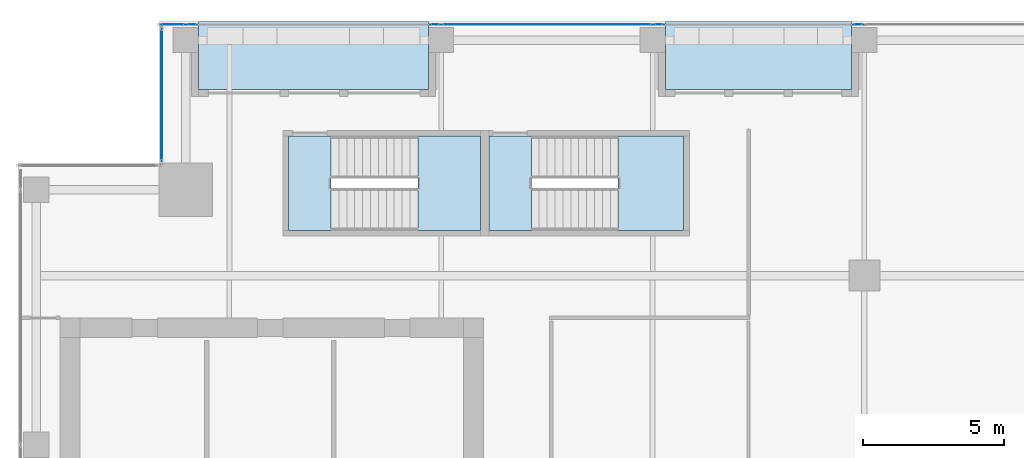
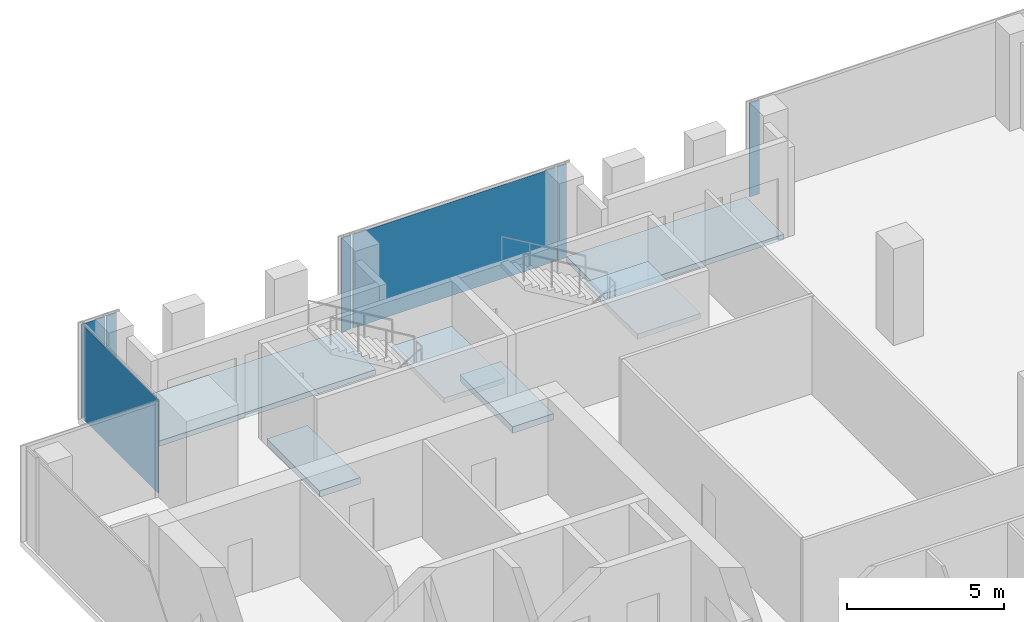
# One storey, part 29 of 36: 7 plates, 6 slabs, 6 elements without a shape of their own.
"""IFC4 building model written with IfcOpenShell, lengths in metres."""

from ifc_helpers import new_model, si_unit, direction, frame, origin, origin_2d, place, context, subcontext, project, spatial, polyline, rectangle, outline, extrude, source, transform, mapped, material, layer, layer_set, type_object, element, aggregate, save


model = new_model("IFC4")

# Units and contexts
model_context = context("Model", 3, precision=1e-05, world=origin(), true_north=direction((0.0, 1.0)))
body_context = subcontext(model_context, "Body", "Model", "MODEL_VIEW")
ifc_project = project(units=[si_unit("LENGTHUNIT", "METRE"), si_unit("AREAUNIT", "SQUARE_METRE"), si_unit("VOLUMEUNIT", "CUBIC_METRE"), si_unit("PLANEANGLEUNIT", "RADIAN"), si_unit("MASSUNIT", "GRAM", prefix="KILO")], contexts=[model_context])

# Site, building, storey
site_placement = place(None, origin())
site = spatial("IfcSite", under=ifc_project, at=site_placement, CompositionType="ELEMENT")
building_placement = place(site_placement, origin())
building = spatial("IfcBuilding", under=site, at=building_placement, Name="Khomas Fold Tower", CompositionType="ELEMENT")
storey_placement = place(building_placement, frame((0.0, 0.0, 238.199951171875)))
storey = spatial("IfcBuildingStorey", under=building, at=storey_placement, Name="L53", CompositionType="ELEMENT", Elevation=238.199951171875)

# Curtain wall, plate
ifc_material_1 = material(Name="Aluminium framed double glazing", Category="aluminium")
curtain_wall_type = type_object("IfcCurtainWallType", Name="SK-Unitised clear-glass wall, office floors CW2", PredefinedType="NOTDEFINED", material=ifc_material_1)
curtain_wall_1_placement = place(storey_placement, origin())
curtain_wall_1 = element("IfcCurtainWall", 1, at=curtain_wall_1_placement, inside=storey, type_object=curtain_wall_type, Name="CW2 run L53 06-1", PredefinedType="NOTDEFINED")
ifc_material_2 = material(Name="Clear double glazed unit")
ifc_layer_1 = layer(ifc_material_2, 0.030029296875)
ifc_layer_set_1 = layer_set([ifc_layer_1], Name="Clear double glazed unit")
plate_type = type_object("IfcPlateType", Name="SK-Unitised clear-glass wall, office floors glass panel CW2-P", PredefinedType="CURTAIN_PANEL", material=ifc_layer_set_1)
shared_shape_1 = source(origin(), body_context, "Body", "SweptSolid", [
    extrude(rectangle(XDim=7.43994140625, YDim=0.030029296875, at=origin_2d()), origin(), (0.0, 0.0, 1.0), 3.639892578125),
])
plate_1_placement = place(storey_placement, frame((23.25, 49.39990234375, 0.0), z_axis=(0.0, 0.0, 1.0), x_axis=(-1.0, 0.0, 0.0)))
plate_1 = element("IfcPlate", 2, at=plate_1_placement, type_object=plate_type, Name="CW2 glass panel 2", PredefinedType="CURTAIN_PANEL", context=body_context, shape_type="MappedRepresentation", body=[
    mapped(shared_shape_1, transform((0.0, 0.0, 0.0))),
])

curtain_wall_2_placement = place(storey_placement, origin())
curtain_wall_2 = element("IfcCurtainWall", 3, at=curtain_wall_2_placement, inside=storey, type_object=curtain_wall_type, Name="CW2 run L53 06-2", PredefinedType="NOTDEFINED")
shared_shape_2 = source(origin(), body_context, "Body", "SweptSolid", [
    extrude(rectangle(XDim=0.860107421875, YDim=0.030029296875, at=origin_2d()), origin(), (0.0, 0.0, 1.0), 3.639892578125),
])
plate_2_placement = place(storey_placement, frame((9.989990234375, 49.39990234375, 0.0), z_axis=(0.0, 0.0, 1.0), x_axis=(-1.0, 0.0, 0.0)))
plate_2 = element("IfcPlate", 4, at=plate_2_placement, type_object=plate_type, Name="CW2 glass panel 2", PredefinedType="CURTAIN_PANEL", context=body_context, shape_type="MappedRepresentation", body=[
    mapped(shared_shape_2, transform((0.0, 0.0, 0.0))),
])

curtain_wall_3_placement = place(storey_placement, origin())
curtain_wall_3 = element("IfcCurtainWall", 5, at=curtain_wall_3_placement, inside=storey, type_object=curtain_wall_type, Name="CW2 corner return L53 07", PredefinedType="NOTDEFINED")
shared_shape_3 = source(origin(), body_context, "Body", "SweptSolid", [
    extrude(rectangle(XDim=4.679931640625, YDim=0.030029296875, at=origin_2d()), origin(), (0.0, 0.0, 1.0), 3.639892578125),
])
plate_3_placement = place(storey_placement, frame((9.60009765625, 46.89990234375, 0.0), z_axis=(0.0, 0.0, 1.0), x_axis=(0.0, -1.0, 0.0)))
plate_3 = element("IfcPlate", 6, at=plate_3_placement, type_object=plate_type, Name="CW2 glass panel 1", PredefinedType="CURTAIN_PANEL", context=body_context, shape_type="MappedRepresentation", body=[
    mapped(shared_shape_3, transform((0.0, 0.0, 0.0))),
])
aggregate(curtain_wall_3, [plate_3])

curtain_wall_4_placement = place(storey_placement, origin())
curtain_wall_4 = element("IfcCurtainWall", 7, at=curtain_wall_4_placement, inside=storey, type_object=curtain_wall_type, Name="CW2 run L53 06-0", PredefinedType="NOTDEFINED")
shared_shape_4 = source(origin(), body_context, "Body", "SweptSolid", [
    extrude(rectangle(XDim=0.360107421875, YDim=0.030029296875, at=origin_2d()), origin(), (0.0, 0.0, 1.0), 3.639892578125),
])
plate_4_placement = place(storey_placement, frame((34.2900390625, 49.39990234375, 0.0), z_axis=(0.0, 0.0, 1.0), x_axis=(-1.0, 0.0, 0.0)))
plate_4 = element("IfcPlate", 8, at=plate_4_placement, type_object=plate_type, Name="CW2 glass panel 3", PredefinedType="CURTAIN_PANEL", context=body_context, shape_type="MappedRepresentation", body=[
    mapped(shared_shape_4, transform((0.0, 0.0, 0.0))),
])
aggregate(curtain_wall_4, [plate_4])

# Plate
plate_5_placement = place(storey_placement, frame((27.2099609375, 49.39990234375, 0.0), z_axis=(0.0, 0.0, 1.0), x_axis=(-1.0, 0.0, 0.0)))
plate_5 = element("IfcPlate", 9, at=plate_5_placement, type_object=plate_type, Name="CW2 glass panel 1", PredefinedType="CURTAIN_PANEL", context=body_context, shape_type="MappedRepresentation", body=[
    mapped(shared_shape_4, transform((0.0, 0.0, 0.0))),
])

plate_6_placement = place(storey_placement, frame((19.2900390625, 49.39990234375, 0.0), z_axis=(0.0, 0.0, 1.0), x_axis=(-1.0, 0.0, 0.0)))
plate_6 = element("IfcPlate", 10, at=plate_6_placement, type_object=plate_type, Name="CW2 glass panel 3", PredefinedType="CURTAIN_PANEL", context=body_context, shape_type="MappedRepresentation", body=[
    mapped(shared_shape_4, transform((0.0, 0.0, 0.0))),
])

aggregate(curtain_wall_1, [plate_5, plate_1, plate_6])

plate_7_placement = place(storey_placement, frame((10.659912109375, 49.39990234375, 0.0), z_axis=(0.0, 0.0, 1.0), x_axis=(-1.0, 0.0, 0.0)))
plate_7 = element("IfcPlate", 11, at=plate_7_placement, type_object=plate_type, Name="CW2 glass panel 1", PredefinedType="CURTAIN_PANEL", context=body_context, shape_type="MappedRepresentation", body=[
    mapped(shared_shape_4, transform((0.0, 0.0, 0.0))),
])

aggregate(curtain_wall_2, [plate_7, plate_2])

# Slabs
ifc_material_3 = material(Name="Concrete C40/50", Category="concrete")
ifc_layer_2 = layer(ifc_material_3, 0.205078125)
ifc_layer_set_2 = layer_set([ifc_layer_2], Name="Concrete C40/50")
slab_type_1 = type_object("IfcSlabType", Name="BL-Balcony deck 205", PredefinedType="FLOOR", material=ifc_layer_set_2)
shared_shape_5 = source(origin(), body_context, "Body", "SweptSolid", [
    extrude(outline(polyline([(10.89990234375, 47.10009765625), (19.050048828125, 47.10009765625), (19.050048828125, 49.5), (10.89990234375, 49.5), (10.89990234375, 47.10009765625)])), origin(), (0.0, 0.0, 1.0), 0.205078125),
])
slab_1_placement = place(storey_placement, frame((0.0, 0.0, -0.25)))
element("IfcSlab", 12, at=slab_1_placement, inside=storey, type_object=slab_type_1, Name="Balcony deck BAL-L53-N1", PredefinedType="FLOOR", context=body_context, shape_type="MappedRepresentation", body=[
    mapped(shared_shape_5, transform((0.0, 0.0, 0.0))),
])
shared_shape_6 = source(origin(), body_context, "Body", "SweptSolid", [
    extrude(outline(polyline([(27.449951171875, 47.10009765625), (34.050048828125, 47.10009765625), (34.050048828125, 49.5), (27.449951171875, 49.5), (27.449951171875, 47.10009765625)])), origin(), (0.0, 0.0, 1.0), 0.205078125),
])
slab_2_placement = place(storey_placement, frame((0.0, 0.0, -0.25)))
element("IfcSlab", 13, at=slab_2_placement, inside=storey, type_object=slab_type_1, Name="Balcony deck BAL-L53-N3", PredefinedType="FLOOR", context=body_context, shape_type="MappedRepresentation", body=[
    mapped(shared_shape_6, transform((0.0, 0.0, 0.0))),
])

# Stair, slab
ifc_material_4 = material(Name="Concrete C40/50", Category="concrete")
stair_type_1 = type_object("IfcStairType", Name="Stair ST1", PredefinedType="HALF_TURN_STAIR", material=ifc_material_4)
stair_1_placement = place(storey_placement, origin())
stair_1 = element("IfcStair", 14, at=stair_1_placement, inside=storey, type_object=stair_type_1, Name="L53 ST1", PredefinedType="HALF_TURN_STAIR")
ifc_material_5 = material(Name="Concrete C40/50", Category="concrete")
ifc_layer_3 = layer(ifc_material_5, 0.199951171875)
ifc_layer_set_3 = layer_set([ifc_layer_3], Name="Concrete C40/50")
slab_type_2 = type_object("IfcSlabType", Name="Stair landing 200", PredefinedType="LANDING", material=ifc_layer_set_3)
shared_shape_7 = source(origin(), body_context, "Body", "SweptSolid", [
    extrude(outline(polyline([(18.679931640625, 42.10009765625), (20.89990234375, 42.10009765625), (20.89990234375, 45.449951171875), (18.679931640625, 45.449951171875), (18.679931640625, 42.10009765625)])), origin(), (0.0, 0.0, 1.0), 0.199951171875),
])
slab_3_placement = place(storey_placement, frame((0.0, 0.0, 1.800048828125)))
slab_3 = element("IfcSlab", 15, at=slab_3_placement, type_object=slab_type_2, Name="ST1 landing 1", PredefinedType="LANDING", context=body_context, shape_type="MappedRepresentation", body=[
    mapped(shared_shape_7, transform((0.0, 0.0, 0.0))),
])
aggregate(stair_1, [slab_3])

# Slab
ifc_material_6 = material(Name="Concrete C40/50", Category="concrete")
ifc_layer_4 = layer(ifc_material_6, 0.25)
ifc_layer_set_4 = layer_set([ifc_layer_4], Name="Concrete C40/50")
slab_type_3 = type_object("IfcSlabType", Name="Stair floor landing 250", PredefinedType="LANDING", material=ifc_layer_set_4)
shared_shape_8 = source(origin(), body_context, "Body", "SweptSolid", [
    extrude(outline(polyline([(15.60009765625, 42.10009765625), (14.10009765625, 42.10009765625), (14.10009765625, 45.449951171875), (15.60009765625, 45.449951171875), (15.60009765625, 42.10009765625)])), origin(), (0.0, 0.0, 1.0), 0.25),
])
slab_4_placement = place(storey_placement, frame((0.0, 0.0, -0.25)))
element("IfcSlab", 16, at=slab_4_placement, inside=storey, type_object=slab_type_3, Name="ST1 floor landing", PredefinedType="LANDING", context=body_context, shape_type="MappedRepresentation", body=[
    mapped(shared_shape_8, transform((0.0, 0.0, 0.0))),
])

# Stair, slab
ifc_material_7 = material(Name="Concrete C40/50", Category="concrete")
stair_type_2 = type_object("IfcStairType", Name="Stair ST3", PredefinedType="HALF_TURN_STAIR", material=ifc_material_7)
stair_2_placement = place(storey_placement, origin())
stair_2 = element("IfcStair", 17, at=stair_2_placement, inside=storey, type_object=stair_type_2, Name="L53 ST3", PredefinedType="HALF_TURN_STAIR")
shared_shape_9 = source(origin(), body_context, "Body", "SweptSolid", [
    extrude(outline(polyline([(25.780029296875, 42.10009765625), (28.10009765625, 42.10009765625), (28.10009765625, 45.449951171875), (25.780029296875, 45.449951171875), (25.780029296875, 42.10009765625)])), origin(), (0.0, 0.0, 1.0), 0.199951171875),
])
slab_5_placement = place(storey_placement, frame((0.0, 0.0, 1.800048828125)))
slab_5 = element("IfcSlab", 18, at=slab_5_placement, type_object=slab_type_2, Name="ST3 landing 1", PredefinedType="LANDING", context=body_context, shape_type="MappedRepresentation", body=[
    mapped(shared_shape_9, transform((0.0, 0.0, 0.0))),
])
aggregate(stair_2, [slab_5])

# Slab
shared_shape_10 = source(origin(), body_context, "Body", "SweptSolid", [
    extrude(outline(polyline([(22.699951171875, 42.10009765625), (21.199951171875, 42.10009765625), (21.199951171875, 45.449951171875), (22.699951171875, 45.449951171875), (22.699951171875, 42.10009765625)])), origin(), (0.0, 0.0, 1.0), 0.25),
])
slab_6_placement = place(storey_placement, frame((0.0, 0.0, -0.25)))
element("IfcSlab", 19, at=slab_6_placement, inside=storey, type_object=slab_type_3, Name="ST3 floor landing", PredefinedType="LANDING", context=body_context, shape_type="MappedRepresentation", body=[
    mapped(shared_shape_10, transform((0.0, 0.0, 0.0))),
])

save(model, "model.ifc")
